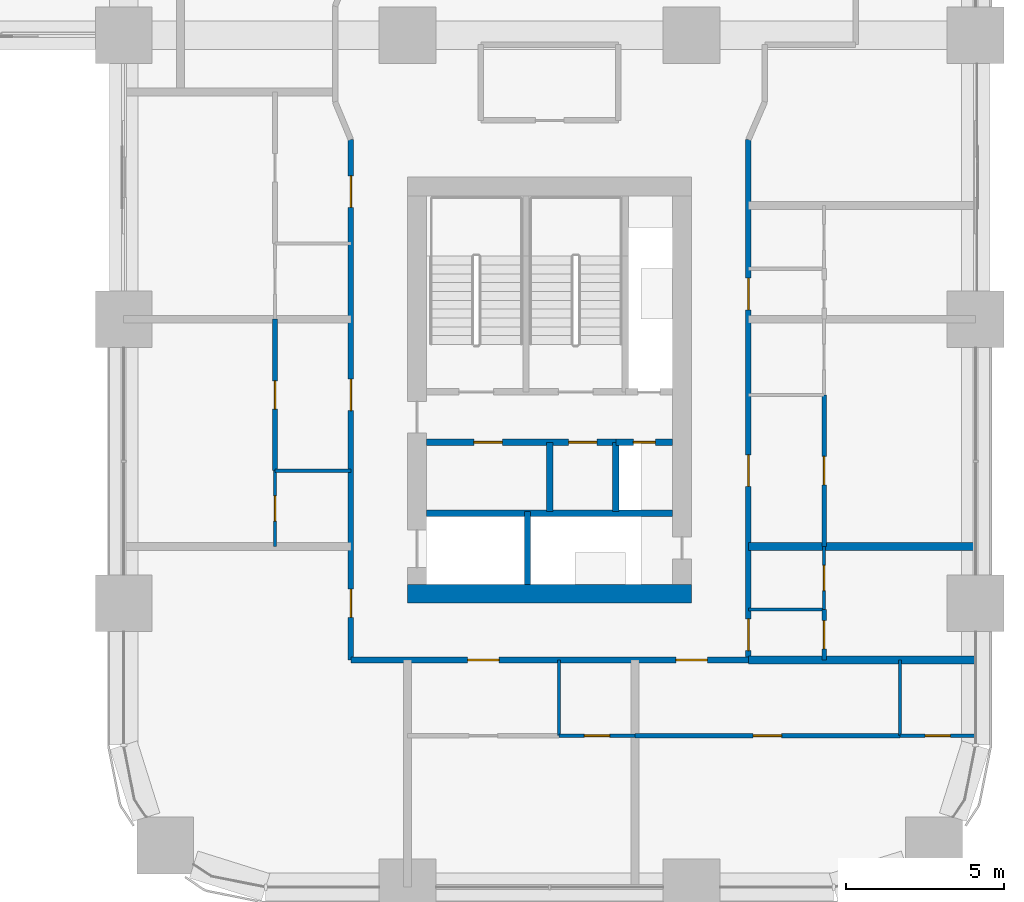
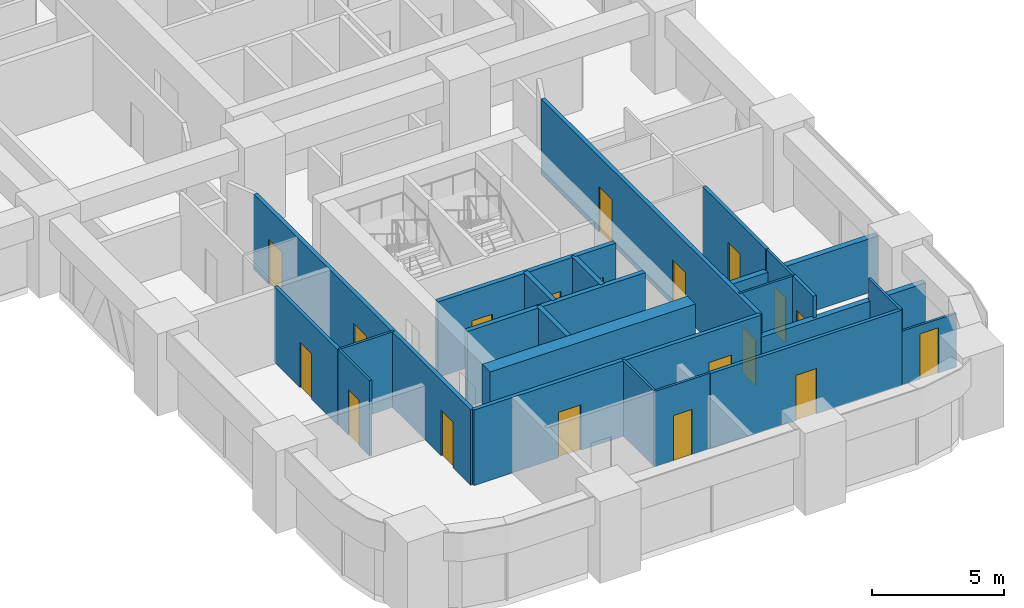
# One storey, part 13 of 24: 24 walls, 19 doors, 19 openings.
"""IFC4 building model written with IfcOpenShell, lengths in metres."""

from ifc_helpers import new_model, si_unit, direction, frame, frame_2d, origin, place, context, subcontext, project, spatial, rectangle, extrude, material, layer, layer_set, type_object, element, fill, save


model = new_model("IFC4")

# Units and contexts
model_context = context("Model", 3, precision=1e-05, world=origin(), true_north=direction((0.0, 1.0)))
body_context = subcontext(model_context, "Body", "Model", "MODEL_VIEW")
ifc_project = project(units=[si_unit("LENGTHUNIT", "METRE"), si_unit("AREAUNIT", "SQUARE_METRE"), si_unit("VOLUMEUNIT", "CUBIC_METRE"), si_unit("PLANEANGLEUNIT", "RADIAN"), si_unit("MASSUNIT", "GRAM", prefix="KILO")], contexts=[model_context])

# Site, building, storey
site_placement = place(None, origin())
site = spatial("IfcSite", under=ifc_project, at=site_placement, CompositionType="ELEMENT")
building_placement = place(site_placement, origin())
building = spatial("IfcBuilding", under=site, at=building_placement, Name="Tessera Arch", CompositionType="ELEMENT")
storey_placement = place(building_placement, frame((0.0, 0.0, 112.0)))
storey = spatial("IfcBuildingStorey", under=building, at=storey_placement, Name="L26", CompositionType="ELEMENT", Elevation=112.0)

# Wall
ifc_material_1 = material(Name="Gypsum board on steel stud", Category="steel")
ifc_layer_1 = layer(ifc_material_1, 0.125)
ifc_layer_set_1 = layer_set([ifc_layer_1], Name="Core partition 125 EI 60")
wall_type_1 = type_object("IfcWallType", Name="Core partition 125 EI 60", PredefinedType="PARTITIONING", material=ifc_layer_set_1)
wall_1_placement = place(storey_placement, frame((40.5, 11.89990234375, 0.0), z_axis=(0.0, 0.0, 1.0), x_axis=(0.0, 1.0, 0.0)))
element("IfcWall", 1, at=wall_1_placement, inside=storey, type_object=wall_type_1, Name="L26 C3 partition wall 4", PredefinedType="PARTITIONING", context=body_context, shape_type="SweptSolid", body=[
    extrude(rectangle(XDim=2.2001953125, YDim=0.199951171875, at=frame_2d((1.10009765625, 0.0))), origin(), (0.0, 0.0, 1.0), 3.5),
])

# Wall, openings, doors
wall_2_placement = place(storey_placement, frame((36.60009765625, 14.10009765625, 0.0), z_axis=(0.0, 0.0, 1.0), x_axis=(1.0, 0.0, 0.0)))
wall_2 = element("IfcWall", 2, at=wall_2_placement, inside=storey, type_object=wall_type_1, Name="L26 C3 partition wall 9", PredefinedType="PARTITIONING", context=body_context, shape_type="SweptSolid", body=[
    extrude(rectangle(XDim=6.0, YDim=0.199951171875, at=frame_2d((3.0, 0.0))), origin(), (0.0, 0.0, 1.0), 3.5),
])
opening_1_placement = place(wall_2_placement, frame((1.5, 0.0, 0.0)))
opening_1 = element("IfcOpeningElement", 3, at=opening_1_placement, cuts=wall_2, Name="Opening L26-C40", PredefinedType="OPENING", context=body_context, shape_type="SweptSolid", body=[
    extrude(rectangle(XDim=0.89990234375, YDim=2.10009765625, at=frame_2d((0.449951171875, 1.050048828125))), frame((0.0, 0.10986328125, 0.0), z_axis=(0.0, -1.0, 0.0), x_axis=(1.0, 0.0, 0.0)), (0.0, 0.0, 1.0), 0.219970703125),
])
opening_2_placement = place(wall_2_placement, frame((4.5, 0.0, 0.0)))
opening_2 = element("IfcOpeningElement", 4, at=opening_2_placement, cuts=wall_2, Name="Opening L26-C41", PredefinedType="OPENING", context=body_context, shape_type="SweptSolid", body=[
    extrude(rectangle(XDim=0.89990234375, YDim=2.10009765625, at=frame_2d((0.449951171875, 1.050048828125))), frame((0.0, 0.10986328125, 0.0), z_axis=(0.0, -1.0, 0.0), x_axis=(1.0, 0.0, 0.0)), (0.0, 0.0, 1.0), 0.219970703125),
])
ifc_material_2 = material(Name="Steel door leaf", Category="steel")
door_type_1 = type_object("IfcDoorType", Name="Store door FD30S 900 x 2100", OperationType="SINGLE_SWING_LEFT", PredefinedType="DOOR", material=ifc_material_2)
door_1_placement = place(opening_1_placement, origin())
door_1 = element("IfcDoor", 5, at=door_1_placement, inside=storey, type_object=door_type_1, Name="L26 C3 door 8 C40 type D09", OperationType="SINGLE_SWING_LEFT", OverallHeight=2.10009765625, OverallWidth=0.89990234375, PredefinedType="DOOR", context=body_context, shape_type="SweptSolid", body=[
    extrude(rectangle(XDim=0.89990234375, YDim=2.10009765625, at=frame_2d((0.449951171875, 1.050048828125))), frame((0.0, 0.02490234375, 0.0), z_axis=(0.0, -1.0, 0.0), x_axis=(1.0, 0.0, 0.0)), (0.0, 0.0, 1.0), 0.050048828125),
])
fill(opening_1, door_1)
door_2_placement = place(opening_2_placement, origin())
door_2 = element("IfcDoor", 6, at=door_2_placement, inside=storey, type_object=door_type_1, Name="L26 C3 door 9 C41 type D09", OperationType="SINGLE_SWING_RIGHT", OverallHeight=2.10009765625, OverallWidth=0.89990234375, PredefinedType="DOOR", context=body_context, shape_type="SweptSolid", body=[
    extrude(rectangle(XDim=0.89990234375, YDim=2.10009765625, at=frame_2d((0.449951171875, 1.050048828125))), frame((0.0, 0.02490234375, 0.0), z_axis=(0.0, -1.0, 0.0), x_axis=(1.0, 0.0, 0.0)), (0.0, 0.0, 1.0), 0.050048828125),
])
fill(opening_2, door_2)

# Wall
ifc_material_3 = material(Name="Concrete C70/85", Category="concrete")
ifc_layer_2 = layer(ifc_material_3, 0.60009765625)
ifc_layer_set_2 = layer_set([ifc_layer_2], Name="Core shell wall 600 C70-85")
wall_type_2 = type_object("IfcWallType", Name="Core shell wall 600 C70-85", PredefinedType="SHEAR", material=ifc_layer_set_2)
wall_3_placement = place(storey_placement, frame((36.0, 9.300048828125, 0.0), z_axis=(0.0, 0.0, 1.0), x_axis=(1.0, 0.0, 0.0)))
element("IfcWall", 7, at=wall_3_placement, inside=storey, type_object=wall_type_2, Name="L26 C3 core wall S", PredefinedType="SHEAR", context=body_context, shape_type="SweptSolid", body=[
    extrude(rectangle(XDim=9.0, YDim=0.60009765625, at=frame_2d((4.5, 0.0))), origin(), (0.0, 0.0, 1.0), 3.5),
])

# Wall, openings, doors
ifc_material_4 = material(Name="Gypsum board on deep steel stud with mineral wool", Category="steel")
ifc_layer_3 = layer(ifc_material_4, 0.175048828125)
ifc_layer_set_3 = layer_set([ifc_layer_3], Name="Corridor wall 175 EI 60")
wall_type_3 = type_object("IfcWallType", Name="Corridor wall 175 EI 60", PredefinedType="PARTITIONING", material=ifc_layer_set_3)
wall_4_placement = place(storey_placement, frame((34.199951171875, 7.199951171875, 0.0), z_axis=(0.0, 0.0, 1.0), x_axis=(1.0, 0.0, 0.0)))
wall_4 = element("IfcWall", 8, at=wall_4_placement, inside=storey, type_object=wall_type_3, Name="L26 partition 1", PredefinedType="PARTITIONING", context=body_context, shape_type="SweptSolid", body=[
    extrude(rectangle(XDim=12.60009765625, YDim=0.175048828125, at=frame_2d((6.300048828125, 0.0))), origin(), (0.0, 0.0, 1.0), 3.5),
])
opening_3_placement = place(wall_4_placement, frame((3.699951171875, 0.0, 0.0)))
opening_3 = element("IfcOpeningElement", 9, at=opening_3_placement, cuts=wall_4, Name="Opening L26-D001", PredefinedType="OPENING", context=body_context, shape_type="SweptSolid", body=[
    extrude(rectangle(XDim=1.0, YDim=2.10009765625, at=frame_2d((0.5, 1.050048828125))), frame((0.0, 0.097412109375, 0.0), z_axis=(0.0, -1.0, 0.0), x_axis=(1.0, 0.0, 0.0)), (0.0, 0.0, 1.0), 0.195068359375),
])
opening_4_placement = place(wall_4_placement, frame((10.300048828125, 0.0, 0.0)))
opening_4 = element("IfcOpeningElement", 10, at=opening_4_placement, cuts=wall_4, Name="Opening L26-D004", PredefinedType="OPENING", context=body_context, shape_type="SweptSolid", body=[
    extrude(rectangle(XDim=1.0, YDim=2.10009765625, at=frame_2d((0.5, 1.050048828125))), frame((0.0, 0.097412109375, 0.0), z_axis=(0.0, -1.0, 0.0), x_axis=(1.0, 0.0, 0.0)), (0.0, 0.0, 1.0), 0.195068359375),
])
ifc_material_5 = material(Name="Fire-rated door leaf")
door_type_2 = type_object("IfcDoorType", Name="Entrance door FD30S 1000 x 2100", OperationType="SINGLE_SWING_LEFT", PredefinedType="DOOR", material=ifc_material_5)
door_3_placement = place(opening_3_placement, origin())
door_3 = element("IfcDoor", 11, at=door_3_placement, inside=storey, type_object=door_type_2, Name="L26 door D001 type D03", OperationType="SINGLE_SWING_RIGHT", OverallHeight=2.10009765625, OverallWidth=1.0, PredefinedType="DOOR", context=body_context, shape_type="SweptSolid", body=[
    extrude(rectangle(XDim=1.0, YDim=2.10009765625, at=frame_2d((0.5, 1.050048828125))), frame((0.0, 0.02490234375, 0.0), z_axis=(0.0, -1.0, 0.0), x_axis=(1.0, 0.0, 0.0)), (0.0, 0.0, 1.0), 0.050048828125),
])
fill(opening_3, door_3)
door_4_placement = place(opening_4_placement, origin())
door_4 = element("IfcDoor", 12, at=door_4_placement, inside=storey, type_object=door_type_2, Name="L26 door D004 type D03", OperationType="SINGLE_SWING_LEFT", OverallHeight=2.10009765625, OverallWidth=1.0, PredefinedType="DOOR", context=body_context, shape_type="SweptSolid", body=[
    extrude(rectangle(XDim=1.0, YDim=2.10009765625, at=frame_2d((0.5, 1.050048828125))), frame((0.0, 0.02490234375, 0.0), z_axis=(0.0, -1.0, 0.0), x_axis=(1.0, 0.0, 0.0)), (0.0, 0.0, 1.0), 0.050048828125),
])
fill(opening_4, door_4)

wall_5_placement = place(storey_placement, frame((34.199951171875, 7.199951171875, 0.0), z_axis=(0.0, 0.0, 1.0), x_axis=(0.0, 1.0, 0.0)))
wall_5 = element("IfcWall", 13, at=wall_5_placement, inside=storey, type_object=wall_type_3, Name="L26 partition 15", PredefinedType="PARTITIONING", context=body_context, shape_type="SweptSolid", body=[
    extrude(rectangle(XDim=16.489990234375, YDim=0.175048828125, at=frame_2d((8.2451171875, 0.0))), origin(), (0.0, 0.0, 1.0), 3.5),
])
opening_5_placement = place(wall_5_placement, frame((1.35009765625, 0.0, 0.0)))
opening_5 = element("IfcOpeningElement", 14, at=opening_5_placement, cuts=wall_5, Name="Opening L26-D007", PredefinedType="OPENING", context=body_context, shape_type="SweptSolid", body=[
    extrude(rectangle(XDim=0.89990234375, YDim=2.10009765625, at=frame_2d((0.449951171875, 1.050048828125))), frame((0.0, 0.097412109375, 0.0), z_axis=(0.0, -1.0, 0.0), x_axis=(1.0, 0.0, 0.0)), (0.0, 0.0, 1.0), 0.195068359375),
])
opening_6_placement = place(wall_5_placement, frame((7.89990234375, 0.0, 0.0)))
opening_6 = element("IfcOpeningElement", 15, at=opening_6_placement, cuts=wall_5, Name="Opening L26-D011", PredefinedType="OPENING", context=body_context, shape_type="SweptSolid", body=[
    extrude(rectangle(XDim=1.0, YDim=2.10009765625, at=frame_2d((0.5, 1.050048828125))), frame((0.0, 0.097412109375, 0.0), z_axis=(0.0, -1.0, 0.0), x_axis=(1.0, 0.0, 0.0)), (0.0, 0.0, 1.0), 0.195068359375),
])
opening_7_placement = place(wall_5_placement, frame((14.344970703125, 0.0, 0.0)))
opening_7 = element("IfcOpeningElement", 16, at=opening_7_placement, cuts=wall_5, Name="Opening L26-D020", PredefinedType="OPENING", context=body_context, shape_type="SweptSolid", body=[
    extrude(rectangle(XDim=1.0, YDim=2.10009765625, at=frame_2d((0.5, 1.050048828125))), frame((0.0, 0.097412109375, 0.0), z_axis=(0.0, -1.0, 0.0), x_axis=(1.0, 0.0, 0.0)), (0.0, 0.0, 1.0), 0.195068359375),
])
door_5_placement = place(opening_6_placement, origin())
door_5 = element("IfcDoor", 17, at=door_5_placement, inside=storey, type_object=door_type_2, Name="L26 door D011 type D03", OperationType="SINGLE_SWING_LEFT", OverallHeight=2.10009765625, OverallWidth=1.0, PredefinedType="DOOR", context=body_context, shape_type="SweptSolid", body=[
    extrude(rectangle(XDim=1.0, YDim=2.10009765625, at=frame_2d((0.5, 1.050048828125))), frame((0.0, 0.02490234375, 0.0), z_axis=(0.0, -1.0, 0.0), x_axis=(1.0, 0.0, 0.0)), (0.0, 0.0, 1.0), 0.050048828125),
])
fill(opening_6, door_5)
door_6_placement = place(opening_7_placement, origin())
door_6 = element("IfcDoor", 18, at=door_6_placement, inside=storey, type_object=door_type_2, Name="L26 door D020 type D03", OperationType="SINGLE_SWING_RIGHT", OverallHeight=2.10009765625, OverallWidth=1.0, PredefinedType="DOOR", context=body_context, shape_type="SweptSolid", body=[
    extrude(rectangle(XDim=1.0, YDim=2.10009765625, at=frame_2d((0.5, 1.050048828125))), frame((0.0, 0.02490234375, 0.0), z_axis=(0.0, -1.0, 0.0), x_axis=(1.0, 0.0, 0.0)), (0.0, 0.0, 1.0), 0.050048828125),
])
fill(opening_7, door_6)
ifc_material_6 = material(Name="Timber door leaf", Category="wood")
door_type_3 = type_object("IfcDoorType", Name="Room door 900 x 2100", OperationType="SINGLE_SWING_LEFT", PredefinedType="DOOR", material=ifc_material_6)
door_7_placement = place(opening_5_placement, origin())
door_7 = element("IfcDoor", 19, at=door_7_placement, inside=storey, type_object=door_type_3, Name="L26 door D007 type D01", OperationType="SINGLE_SWING_LEFT", OverallHeight=2.10009765625, OverallWidth=0.89990234375, PredefinedType="DOOR", context=body_context, shape_type="SweptSolid", body=[
    extrude(rectangle(XDim=0.89990234375, YDim=2.10009765625, at=frame_2d((0.449951171875, 1.050048828125))), frame((0.0, 0.02490234375, 0.0), z_axis=(0.0, -1.0, 0.0), x_axis=(1.0, 0.0, 0.0)), (0.0, 0.0, 1.0), 0.050048828125),
])
fill(opening_5, door_7)

wall_6_placement = place(storey_placement, frame((46.800048828125, 7.199951171875, 0.0), z_axis=(0.0, 0.0, 1.0), x_axis=(0.0, 1.0, 0.0)))
wall_6 = element("IfcWall", 20, at=wall_6_placement, inside=storey, type_object=wall_type_3, Name="L26 partition 20", PredefinedType="PARTITIONING", context=body_context, shape_type="SweptSolid", body=[
    extrude(rectangle(XDim=16.489990234375, YDim=0.175048828125, at=frame_2d((8.2451171875, 0.0))), origin(), (0.0, 0.0, 1.0), 3.5),
])
opening_8_placement = place(wall_6_placement, frame((0.300048828125, 0.0, 0.0)))
opening_8 = element("IfcOpeningElement", 21, at=opening_8_placement, cuts=wall_6, Name="Opening L26-D008", PredefinedType="OPENING", context=body_context, shape_type="SweptSolid", body=[
    extrude(rectangle(XDim=1.0, YDim=2.10009765625, at=frame_2d((0.5, 1.050048828125))), frame((0.0, 0.097412109375, 0.0), z_axis=(0.0, -1.0, 0.0), x_axis=(1.0, 0.0, 0.0)), (0.0, 0.0, 1.0), 0.195068359375),
])
opening_9_placement = place(wall_6_placement, frame((5.5, 0.0, 0.0)))
opening_9 = element("IfcOpeningElement", 22, at=opening_9_placement, cuts=wall_6, Name="Opening L26-D014", PredefinedType="OPENING", context=body_context, shape_type="SweptSolid", body=[
    extrude(rectangle(XDim=1.0, YDim=2.10009765625, at=frame_2d((0.5, 1.050048828125))), frame((0.0, 0.097412109375, 0.0), z_axis=(0.0, -1.0, 0.0), x_axis=(1.0, 0.0, 0.0)), (0.0, 0.0, 1.0), 0.195068359375),
])
opening_10_placement = place(wall_6_placement, frame((11.10009765625, 0.0, 0.0)))
opening_10 = element("IfcOpeningElement", 23, at=opening_10_placement, cuts=wall_6, Name="Opening L26-D017", PredefinedType="OPENING", context=body_context, shape_type="SweptSolid", body=[
    extrude(rectangle(XDim=1.0, YDim=2.10009765625, at=frame_2d((0.5, 1.050048828125))), frame((0.0, 0.097412109375, 0.0), z_axis=(0.0, -1.0, 0.0), x_axis=(1.0, 0.0, 0.0)), (0.0, 0.0, 1.0), 0.195068359375),
])
door_8_placement = place(opening_8_placement, origin())
door_8 = element("IfcDoor", 24, at=door_8_placement, inside=storey, type_object=door_type_2, Name="L26 door D008 type D03", OperationType="SINGLE_SWING_LEFT", OverallHeight=2.10009765625, OverallWidth=1.0, PredefinedType="DOOR", context=body_context, shape_type="SweptSolid", body=[
    extrude(rectangle(XDim=1.0, YDim=2.10009765625, at=frame_2d((0.5, 1.050048828125))), frame((0.0, 0.02490234375, 0.0), z_axis=(0.0, -1.0, 0.0), x_axis=(1.0, 0.0, 0.0)), (0.0, 0.0, 1.0), 0.050048828125),
])
fill(opening_8, door_8)
door_9_placement = place(opening_9_placement, origin())
door_9 = element("IfcDoor", 25, at=door_9_placement, inside=storey, type_object=door_type_2, Name="L26 door D014 type D03", OperationType="SINGLE_SWING_LEFT", OverallHeight=2.10009765625, OverallWidth=1.0, PredefinedType="DOOR", context=body_context, shape_type="SweptSolid", body=[
    extrude(rectangle(XDim=1.0, YDim=2.10009765625, at=frame_2d((0.5, 1.050048828125))), frame((0.0, 0.02490234375, 0.0), z_axis=(0.0, -1.0, 0.0), x_axis=(1.0, 0.0, 0.0)), (0.0, 0.0, 1.0), 0.050048828125),
])
fill(opening_9, door_9)
door_10_placement = place(opening_10_placement, origin())
door_10 = element("IfcDoor", 26, at=door_10_placement, inside=storey, type_object=door_type_2, Name="L26 door D017 type D03", OperationType="SINGLE_SWING_RIGHT", OverallHeight=2.10009765625, OverallWidth=1.0, PredefinedType="DOOR", context=body_context, shape_type="SweptSolid", body=[
    extrude(rectangle(XDim=1.0, YDim=2.10009765625, at=frame_2d((0.5, 1.050048828125))), frame((0.0, 0.02490234375, 0.0), z_axis=(0.0, -1.0, 0.0), x_axis=(1.0, 0.0, 0.0)), (0.0, 0.0, 1.0), 0.050048828125),
])
fill(opening_10, door_10)

# Wall, opening, door
ifc_material_7 = material(Name="Gypsum board on steel stud", Category="steel")
ifc_layer_4 = layer(ifc_material_7, 0.14990234375)
ifc_layer_set_4 = layer_set([ifc_layer_4], Name="Partition 150")
wall_type_4 = type_object("IfcWallType", Name="Partition 150", PredefinedType="PARTITIONING", material=ifc_layer_set_4)
wall_7_placement = place(storey_placement, frame((43.199951171875, 4.800048828125, 0.0), z_axis=(0.0, 0.0, 1.0), x_axis=(1.0, 0.0, 0.0)))
wall_7 = element("IfcWall", 27, at=wall_7_placement, inside=storey, type_object=wall_type_4, Name="L26 partition 24", PredefinedType="PARTITIONING", context=body_context, shape_type="SweptSolid", body=[
    extrude(rectangle(XDim=8.400146484375, YDim=0.14990234375, at=frame_2d((4.2001953125, 0.0))), origin(), (0.0, 0.0, 1.0), 3.5),
])
opening_11_placement = place(wall_7_placement, frame((3.75, 0.0, 0.0)))
opening_11 = element("IfcOpeningElement", 28, at=opening_11_placement, cuts=wall_7, Name="Opening L26-D005", PredefinedType="OPENING", context=body_context, shape_type="SweptSolid", body=[
    extrude(rectangle(XDim=0.89990234375, YDim=2.10009765625, at=frame_2d((0.449951171875, 1.050048828125))), frame((0.0, 0.0849609375, 0.0), z_axis=(0.0, -1.0, 0.0), x_axis=(1.0, 0.0, 0.0)), (0.0, 0.0, 1.0), 0.169921875),
])
door_11_placement = place(opening_11_placement, origin())
door_11 = element("IfcDoor", 29, at=door_11_placement, inside=storey, type_object=door_type_3, Name="L26 door D005 type D01", OperationType="SINGLE_SWING_RIGHT", OverallHeight=2.10009765625, OverallWidth=0.89990234375, PredefinedType="DOOR", context=body_context, shape_type="SweptSolid", body=[
    extrude(rectangle(XDim=0.89990234375, YDim=2.10009765625, at=frame_2d((0.449951171875, 1.050048828125))), frame((0.0, 0.02490234375, 0.0), z_axis=(0.0, -1.0, 0.0), x_axis=(1.0, 0.0, 0.0)), (0.0, 0.0, 1.0), 0.050048828125),
])
fill(opening_11, door_11)

wall_8_placement = place(storey_placement, frame((31.800048828125, 13.199951171875, 0.0), z_axis=(0.0, 0.0, 1.0), x_axis=(0.0, 1.0, 0.0)))
wall_8 = element("IfcWall", 30, at=wall_8_placement, inside=storey, type_object=wall_type_4, Name="L26 partition 25", PredefinedType="PARTITIONING", context=body_context, shape_type="SweptSolid", body=[
    extrude(rectangle(XDim=4.800048828125, YDim=0.14990234375, at=frame_2d((2.39990234375, 0.0))), origin(), (0.0, 0.0, 1.0), 3.5),
])
opening_12_placement = place(wall_8_placement, frame((1.949951171875, 0.0, 0.0)))
opening_12 = element("IfcOpeningElement", 31, at=opening_12_placement, cuts=wall_8, Name="Opening L26-D012", PredefinedType="OPENING", context=body_context, shape_type="SweptSolid", body=[
    extrude(rectangle(XDim=0.89990234375, YDim=2.10009765625, at=frame_2d((0.449951171875, 1.050048828125))), frame((0.0, 0.0849609375, 0.0), z_axis=(0.0, -1.0, 0.0), x_axis=(1.0, 0.0, 0.0)), (0.0, 0.0, 1.0), 0.169921875),
])
door_12_placement = place(opening_12_placement, origin())
door_12 = element("IfcDoor", 32, at=door_12_placement, inside=storey, type_object=door_type_3, Name="L26 door D012 type D01", OperationType="SINGLE_SWING_RIGHT", OverallHeight=2.10009765625, OverallWidth=0.89990234375, PredefinedType="DOOR", context=body_context, shape_type="SweptSolid", body=[
    extrude(rectangle(XDim=0.89990234375, YDim=2.10009765625, at=frame_2d((0.449951171875, 1.050048828125))), frame((0.0, 0.02490234375, 0.0), z_axis=(0.0, -1.0, 0.0), x_axis=(1.0, 0.0, 0.0)), (0.0, 0.0, 1.0), 0.050048828125),
])
fill(opening_12, door_12)

wall_9_placement = place(storey_placement, frame((49.199951171875, 7.199951171875, 0.0), z_axis=(0.0, 0.0, 1.0), x_axis=(0.0, 1.0, 0.0)))
wall_9 = element("IfcWall", 33, at=wall_9_placement, inside=storey, type_object=wall_type_4, Name="L26 partition 27", PredefinedType="PARTITIONING", context=body_context, shape_type="SweptSolid", body=[
    extrude(rectangle(XDim=1.60009765625, YDim=0.14990234375, at=frame_2d((0.800048828125, 0.0))), origin(), (0.0, 0.0, 1.0), 3.5),
])
opening_13_placement = place(wall_9_placement, frame((0.35009765625, 0.0, 0.0)))
opening_13 = element("IfcOpeningElement", 34, at=opening_13_placement, cuts=wall_9, Name="Opening L26-D009", PredefinedType="OPENING", context=body_context, shape_type="SweptSolid", body=[
    extrude(rectangle(XDim=0.89990234375, YDim=2.10009765625, at=frame_2d((0.449951171875, 1.050048828125))), frame((0.0, 0.0849609375, 0.0), z_axis=(0.0, -1.0, 0.0), x_axis=(1.0, 0.0, 0.0)), (0.0, 0.0, 1.0), 0.169921875),
])
door_13_placement = place(opening_13_placement, origin())
door_13 = element("IfcDoor", 35, at=door_13_placement, inside=storey, type_object=door_type_3, Name="L26 door D009 type D01", OperationType="SINGLE_SWING_RIGHT", OverallHeight=2.10009765625, OverallWidth=0.89990234375, PredefinedType="DOOR", context=body_context, shape_type="SweptSolid", body=[
    extrude(rectangle(XDim=0.89990234375, YDim=2.10009765625, at=frame_2d((0.449951171875, 1.050048828125))), frame((0.0, 0.02490234375, 0.0), z_axis=(0.0, -1.0, 0.0), x_axis=(1.0, 0.0, 0.0)), (0.0, 0.0, 1.0), 0.050048828125),
])
fill(opening_13, door_13)

wall_10_placement = place(storey_placement, frame((49.199951171875, 10.800048828125, 0.0), z_axis=(0.0, 0.0, 1.0), x_axis=(0.0, 1.0, 0.0)))
wall_10 = element("IfcWall", 36, at=wall_10_placement, inside=storey, type_object=wall_type_4, Name="L26 partition 28", PredefinedType="PARTITIONING", context=body_context, shape_type="SweptSolid", body=[
    extrude(rectangle(XDim=4.800048828125, YDim=0.14990234375, at=frame_2d((2.39990234375, 0.0))), origin(), (0.0, 0.0, 1.0), 3.5),
])
opening_14_placement = place(wall_10_placement, frame((1.949951171875, 0.0, 0.0)))
opening_14 = element("IfcOpeningElement", 37, at=opening_14_placement, cuts=wall_10, Name="Opening L26-D015", PredefinedType="OPENING", context=body_context, shape_type="SweptSolid", body=[
    extrude(rectangle(XDim=0.89990234375, YDim=2.10009765625, at=frame_2d((0.449951171875, 1.050048828125))), frame((0.0, 0.0849609375, 0.0), z_axis=(0.0, -1.0, 0.0), x_axis=(1.0, 0.0, 0.0)), (0.0, 0.0, 1.0), 0.169921875),
])
door_14_placement = place(opening_14_placement, origin())
door_14 = element("IfcDoor", 38, at=door_14_placement, inside=storey, type_object=door_type_3, Name="L26 door D015 type D01", OperationType="SINGLE_SWING_RIGHT", OverallHeight=2.10009765625, OverallWidth=0.89990234375, PredefinedType="DOOR", context=body_context, shape_type="SweptSolid", body=[
    extrude(rectangle(XDim=0.89990234375, YDim=2.10009765625, at=frame_2d((0.449951171875, 1.050048828125))), frame((0.0, 0.02490234375, 0.0), z_axis=(0.0, -1.0, 0.0), x_axis=(1.0, 0.0, 0.0)), (0.0, 0.0, 1.0), 0.050048828125),
])
fill(opening_14, door_14)

# Walls
ifc_material_8 = material(Name="Double gypsum board on twin steel stud with acoustic mineral wool", Category="steel")
ifc_layer_5 = layer(ifc_material_8, 0.25)
ifc_layer_set_5 = layer_set([ifc_layer_5], Name="Party wall 250 EI 60")
wall_type_5 = type_object("IfcWallType", Name="Party wall 250 EI 60", PredefinedType="PARTITIONING", material=ifc_layer_set_5)
for number, where, z_axis, x_axis, name in (
    (39, (46.800048828125, 7.199951171875, 0.0), (0.0, 0.0, 1.0), (1.0, 0.0, 0.0), "L26 partition 30"),
    (40, (46.800048828125, 10.800048828125, 0.0), (0.0, 0.0, 1.0), (1.0, 0.0, 0.0), "L26 partition 32"),
):
    element("IfcWall", number, at=place(storey_placement, frame(where, z_axis=z_axis, x_axis=x_axis)), inside=storey, type_object=wall_type_5, Name=name, PredefinedType="PARTITIONING", context=body_context, shape_type="SweptSolid", body=[
        extrude(rectangle(XDim=7.199951171875, YDim=0.25, at=frame_2d((3.60009765625, 0.0))), origin(), (0.0, 0.0, 1.0), 2.5),
    ])
ifc_material_9 = material(Name="Concrete C40/50", Category="concrete")
ifc_layer_6 = layer(ifc_material_9, 0.199951171875)
ifc_layer_set_6 = layer_set([ifc_layer_6], Name="Shaft wall 200 EI 120")
wall_type_6 = type_object("IfcWallType", Name="Shaft wall 200 EI 120", PredefinedType="SOLIDWALL", material=ifc_layer_set_6)
wall_11_placement = place(storey_placement, frame((39.800048828125, 9.60009765625, 0.0), z_axis=(0.0, 0.0, 1.0), x_axis=(0.0, 1.0, 0.0)))
element("IfcWall", 41, at=wall_11_placement, inside=storey, type_object=wall_type_6, Name="L26 C3 shaft wall 3", PredefinedType="SOLIDWALL", context=body_context, shape_type="SweptSolid", body=[
    extrude(rectangle(XDim=2.2998046875, YDim=0.199951171875, at=frame_2d((1.14990234375, 0.0))), origin(), (0.0, 0.0, 1.0), 3.5),
])
wall_12_placement = place(storey_placement, frame((42.60009765625, 11.89990234375, 0.0), z_axis=(0.0, 0.0, 1.0), x_axis=(0.0, 1.0, 0.0)))
element("IfcWall", 42, at=wall_12_placement, inside=storey, type_object=wall_type_6, Name="L26 C3 shaft wall 5", PredefinedType="SOLIDWALL", context=body_context, shape_type="SweptSolid", body=[
    extrude(rectangle(XDim=2.2001953125, YDim=0.199951171875, at=frame_2d((1.10009765625, 0.0))), origin(), (0.0, 0.0, 1.0), 3.5),
])
wall_13_placement = place(storey_placement, frame((36.60009765625, 11.85009765625, 0.0), z_axis=(0.0, 0.0, 1.0), x_axis=(1.0, 0.0, 0.0)))
element("IfcWall", 43, at=wall_13_placement, inside=storey, type_object=wall_type_6, Name="L26 C3 shaft wall 8", PredefinedType="SOLIDWALL", context=body_context, shape_type="SweptSolid", body=[
    extrude(rectangle(XDim=7.7998046875, YDim=0.199951171875, at=frame_2d((3.89990234375, 0.0))), origin(), (0.0, 0.0, 1.0), 3.5),
])

# Wall, opening, door
wall_14_placement = place(storey_placement, frame((42.60009765625, 14.10009765625, 0.0), z_axis=(0.0, 0.0, 1.0), x_axis=(1.0, 0.0, 0.0)))
wall_14 = element("IfcWall", 44, at=wall_14_placement, inside=storey, type_object=wall_type_6, Name="L26 C3 shaft wall 10", PredefinedType="SOLIDWALL", context=body_context, shape_type="SweptSolid", body=[
    extrude(rectangle(XDim=1.7998046875, YDim=0.199951171875, at=frame_2d((0.89990234375, 0.0))), origin(), (0.0, 0.0, 1.0), 3.5),
])
opening_15_placement = place(wall_14_placement, frame((0.550048828125, 0.0, 0.0)))
opening_15 = element("IfcOpeningElement", 45, at=opening_15_placement, cuts=wall_14, Name="Opening L26-C37", PredefinedType="OPENING", context=body_context, shape_type="SweptSolid", body=[
    extrude(rectangle(XDim=0.699951171875, YDim=2.10009765625, at=frame_2d((0.35009765625, 1.050048828125))), frame((0.0, 0.10986328125, 0.0), z_axis=(0.0, -1.0, 0.0), x_axis=(1.0, 0.0, 0.0)), (0.0, 0.0, 1.0), 0.219970703125),
])
ifc_material_10 = material(Name="Steel door leaf", Category="steel")
door_type_4 = type_object("IfcDoorType", Name="Service shaft door FD60 700 x 2100", OperationType="SINGLE_SWING_LEFT", PredefinedType="DOOR", material=ifc_material_10)
door_15_placement = place(opening_15_placement, origin())
door_15 = element("IfcDoor", 46, at=door_15_placement, inside=storey, type_object=door_type_4, Name="L26 C3 door 5 C37 type D07", OperationType="SINGLE_SWING_RIGHT", OverallHeight=2.10009765625, OverallWidth=0.699951171875, PredefinedType="DOOR", context=body_context, shape_type="SweptSolid", body=[
    extrude(rectangle(XDim=0.699951171875, YDim=2.10009765625, at=frame_2d((0.35009765625, 1.050048828125))), frame((0.0, 0.02490234375, 0.0), z_axis=(0.0, -1.0, 0.0), x_axis=(1.0, 0.0, 0.0)), (0.0, 0.0, 1.0), 0.050048828125),
])
fill(opening_15, door_15)

ifc_material_11 = material(Name="Moisture-resistant board on pre-plumbed steel stud", Category="steel")
ifc_layer_7 = layer(ifc_material_11, 0.10009765625)
ifc_layer_set_7 = layer_set([ifc_layer_7], Name="Wet wall 100")
wall_type_7 = type_object("IfcWallType", Name="Wet wall 100", PredefinedType="PARTITIONING", material=ifc_layer_set_7)
wall_15_placement = place(storey_placement, frame((40.800048828125, 4.800048828125, 0.0), z_axis=(0.0, 0.0, 1.0), x_axis=(1.0, 0.0, 0.0)))
wall_15 = element("IfcWall", 47, at=wall_15_placement, inside=storey, type_object=wall_type_7, Name="L26 partition 52", PredefinedType="PARTITIONING", context=body_context, shape_type="SweptSolid", body=[
    extrude(rectangle(XDim=2.39990234375, YDim=0.10009765625, at=frame_2d((1.199951171875, 0.0))), origin(), (0.0, 0.0, 1.0), 3.5),
])
opening_16_placement = place(wall_15_placement, frame((0.800048828125, 0.0, 0.0)))
opening_16 = element("IfcOpeningElement", 48, at=opening_16_placement, cuts=wall_15, Name="Opening L26-D003", PredefinedType="OPENING", context=body_context, shape_type="SweptSolid", body=[
    extrude(rectangle(XDim=0.800048828125, YDim=2.10009765625, at=frame_2d((0.39990234375, 1.050048828125))), frame((0.0, 0.06005859375, 0.0), z_axis=(0.0, -1.0, 0.0), x_axis=(1.0, 0.0, 0.0)), (0.0, 0.0, 1.0), 0.1201171875),
])
ifc_material_12 = material(Name="Timber door leaf", Category="wood")
door_type_5 = type_object("IfcDoorType", Name="En-suite door 800 x 2100", OperationType="SINGLE_SWING_LEFT", PredefinedType="DOOR", material=ifc_material_12)
door_16_placement = place(opening_16_placement, origin())
door_16 = element("IfcDoor", 49, at=door_16_placement, inside=storey, type_object=door_type_5, Name="L26 door D003 type D02", OperationType="SINGLE_SWING_RIGHT", OverallHeight=2.10009765625, OverallWidth=0.800048828125, PredefinedType="DOOR", context=body_context, shape_type="SweptSolid", body=[
    extrude(rectangle(XDim=0.800048828125, YDim=2.10009765625, at=frame_2d((0.39990234375, 1.050048828125))), frame((0.0, 0.02490234375, 0.0), z_axis=(0.0, -1.0, 0.0), x_axis=(1.0, 0.0, 0.0)), (0.0, 0.0, 1.0), 0.050048828125),
])
fill(opening_16, door_16)

wall_16_placement = place(storey_placement, frame((51.60009765625, 4.800048828125, 0.0), z_axis=(0.0, 0.0, 1.0), x_axis=(1.0, 0.0, 0.0)))
wall_16 = element("IfcWall", 50, at=wall_16_placement, inside=storey, type_object=wall_type_7, Name="L26 partition 53", PredefinedType="PARTITIONING", context=body_context, shape_type="SweptSolid", body=[
    extrude(rectangle(XDim=2.39990234375, YDim=0.10009765625, at=frame_2d((1.199951171875, 0.0))), origin(), (0.0, 0.0, 1.0), 2.5),
])
opening_17_placement = place(wall_16_placement, frame((0.800048828125, 0.0, 0.0)))
opening_17 = element("IfcOpeningElement", 51, at=opening_17_placement, cuts=wall_16, Name="Opening L26-D006", PredefinedType="OPENING", context=body_context, shape_type="SweptSolid", body=[
    extrude(rectangle(XDim=0.800048828125, YDim=2.10009765625, at=frame_2d((0.39990234375, 1.050048828125))), frame((0.0, 0.06005859375, 0.0), z_axis=(0.0, -1.0, 0.0), x_axis=(1.0, 0.0, 0.0)), (0.0, 0.0, 1.0), 0.1201171875),
])
door_17_placement = place(opening_17_placement, origin())
door_17 = element("IfcDoor", 52, at=door_17_placement, inside=storey, type_object=door_type_5, Name="L26 door D006 type D02", OperationType="SINGLE_SWING_LEFT", OverallHeight=2.10009765625, OverallWidth=0.800048828125, PredefinedType="DOOR", context=body_context, shape_type="SweptSolid", body=[
    extrude(rectangle(XDim=0.800048828125, YDim=2.10009765625, at=frame_2d((0.39990234375, 1.050048828125))), frame((0.0, 0.02490234375, 0.0), z_axis=(0.0, -1.0, 0.0), x_axis=(1.0, 0.0, 0.0)), (0.0, 0.0, 1.0), 0.050048828125),
])
fill(opening_17, door_17)

# Walls
for number, where, z_axis, x_axis, name in (
    (53, (46.800048828125, 8.800048828125, 0.0), (0.0, 0.0, 1.0), (1.0, 0.0, 0.0), "L26 partition 54"),
    (54, (31.800048828125, 13.199951171875, 0.0), (0.0, 0.0, 1.0), (1.0, 0.0, 0.0), "L26 partition 55"),
):
    element("IfcWall", number, at=place(storey_placement, frame(where, z_axis=z_axis, x_axis=x_axis)), inside=storey, type_object=wall_type_7, Name=name, PredefinedType="PARTITIONING", context=body_context, shape_type="SweptSolid", body=[
        extrude(rectangle(XDim=2.39990234375, YDim=0.10009765625, at=frame_2d((1.199951171875, 0.0))), origin(), (0.0, 0.0, 1.0), 3.5),
    ])

# Wall, opening, door
wall_17_placement = place(storey_placement, frame((31.800048828125, 10.800048828125, 0.0), z_axis=(0.0, 0.0, 1.0), x_axis=(0.0, 1.0, 0.0)))
wall_17 = element("IfcWall", 55, at=wall_17_placement, inside=storey, type_object=wall_type_7, Name="L26 partition 59", PredefinedType="PARTITIONING", context=body_context, shape_type="SweptSolid", body=[
    extrude(rectangle(XDim=2.39990234375, YDim=0.10009765625, at=frame_2d((1.199951171875, 0.0))), origin(), (0.0, 0.0, 1.0), 3.5),
])
opening_18_placement = place(wall_17_placement, frame((0.800048828125, 0.0, 0.0)))
opening_18 = element("IfcOpeningElement", 56, at=opening_18_placement, cuts=wall_17, Name="Opening L26-D013", PredefinedType="OPENING", context=body_context, shape_type="SweptSolid", body=[
    extrude(rectangle(XDim=0.800048828125, YDim=2.10009765625, at=frame_2d((0.39990234375, 1.050048828125))), frame((0.0, 0.06005859375, 0.0), z_axis=(0.0, -1.0, 0.0), x_axis=(1.0, 0.0, 0.0)), (0.0, 0.0, 1.0), 0.1201171875),
])
door_18_placement = place(opening_18_placement, origin())
door_18 = element("IfcDoor", 57, at=door_18_placement, inside=storey, type_object=door_type_5, Name="L26 door D013 type D02", OperationType="SINGLE_SWING_LEFT", OverallHeight=2.10009765625, OverallWidth=0.800048828125, PredefinedType="DOOR", context=body_context, shape_type="SweptSolid", body=[
    extrude(rectangle(XDim=0.800048828125, YDim=2.10009765625, at=frame_2d((0.39990234375, 1.050048828125))), frame((0.0, 0.02490234375, 0.0), z_axis=(0.0, -1.0, 0.0), x_axis=(1.0, 0.0, 0.0)), (0.0, 0.0, 1.0), 0.050048828125),
])
fill(opening_18, door_18)

# Wall
wall_18_placement = place(storey_placement, frame((40.800048828125, 4.800048828125, 0.0), z_axis=(0.0, 0.0, 1.0), x_axis=(0.0, 1.0, 0.0)))
element("IfcWall", 58, at=wall_18_placement, inside=storey, type_object=wall_type_7, Name="L26 partition 61", PredefinedType="PARTITIONING", context=body_context, shape_type="SweptSolid", body=[
    extrude(rectangle(XDim=2.39990234375, YDim=0.10009765625, at=frame_2d((1.199951171875, 0.0))), origin(), (0.0, 0.0, 1.0), 3.5),
])

# Wall, opening, door
wall_19_placement = place(storey_placement, frame((49.199951171875, 8.800048828125, 0.0), z_axis=(0.0, 0.0, 1.0), x_axis=(0.0, 1.0, 0.0)))
wall_19 = element("IfcWall", 59, at=wall_19_placement, inside=storey, type_object=wall_type_7, Name="L26 partition 62", PredefinedType="PARTITIONING", context=body_context, shape_type="SweptSolid", body=[
    extrude(rectangle(XDim=2.0, YDim=0.10009765625, at=frame_2d((1.0, 0.0))), origin(), (0.0, 0.0, 1.0), 3.5),
])
opening_19_placement = place(wall_19_placement, frame((0.60009765625, 0.0, 0.0)))
opening_19 = element("IfcOpeningElement", 60, at=opening_19_placement, cuts=wall_19, Name="Opening L26-D010", PredefinedType="OPENING", context=body_context, shape_type="SweptSolid", body=[
    extrude(rectangle(XDim=0.800048828125, YDim=2.10009765625, at=frame_2d((0.39990234375, 1.050048828125))), frame((0.0, 0.06005859375, 0.0), z_axis=(0.0, -1.0, 0.0), x_axis=(1.0, 0.0, 0.0)), (0.0, 0.0, 1.0), 0.1201171875),
])
door_19_placement = place(opening_19_placement, origin())
door_19 = element("IfcDoor", 61, at=door_19_placement, inside=storey, type_object=door_type_5, Name="L26 door D010 type D02", OperationType="SINGLE_SWING_LEFT", OverallHeight=2.10009765625, OverallWidth=0.800048828125, PredefinedType="DOOR", context=body_context, shape_type="SweptSolid", body=[
    extrude(rectangle(XDim=0.800048828125, YDim=2.10009765625, at=frame_2d((0.39990234375, 1.050048828125))), frame((0.0, 0.02490234375, 0.0), z_axis=(0.0, -1.0, 0.0), x_axis=(1.0, 0.0, 0.0)), (0.0, 0.0, 1.0), 0.050048828125),
])
fill(opening_19, door_19)

# Wall
wall_20_placement = place(storey_placement, frame((51.60009765625, 4.800048828125, 0.0), z_axis=(0.0, 0.0, 1.0), x_axis=(0.0, 1.0, 0.0)))
element("IfcWall", 62, at=wall_20_placement, inside=storey, type_object=wall_type_7, Name="L26 partition 65", PredefinedType="PARTITIONING", context=body_context, shape_type="SweptSolid", body=[
    extrude(rectangle(XDim=2.39990234375, YDim=0.10009765625, at=frame_2d((1.199951171875, 0.0))), origin(), (0.0, 0.0, 1.0), 3.5),
])

save(model, "model.ifc")
